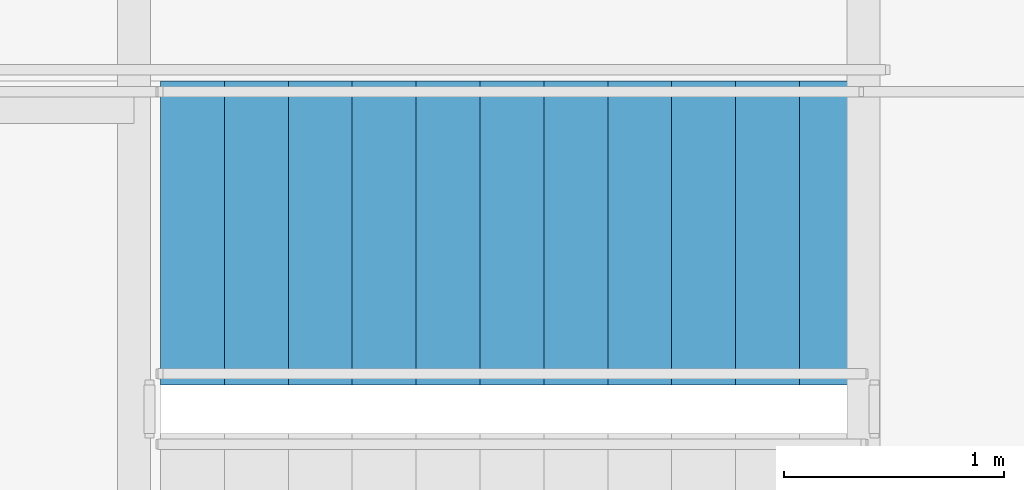
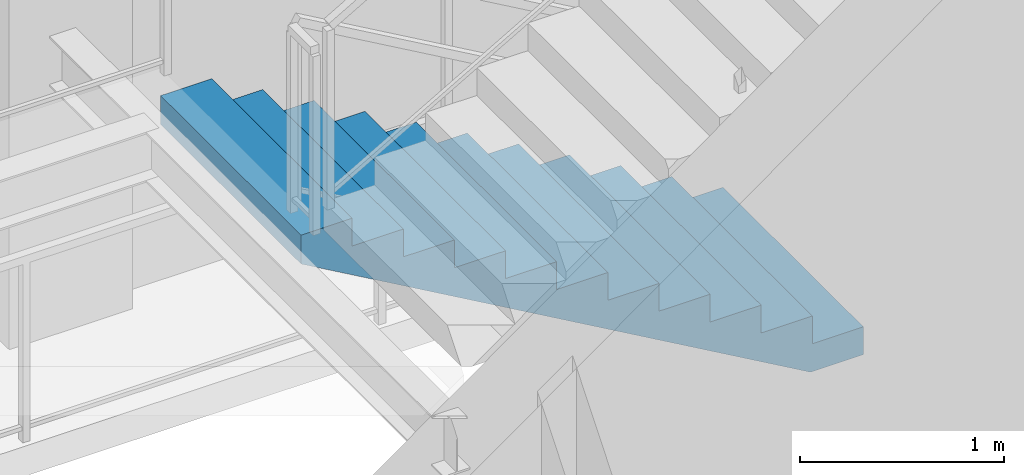
# One storey, part 31 of 34: 1 stair flight, 1 element without a shape of its own.
"""IFC4 building model written with IfcOpenShell, lengths in metres."""

from ifc_helpers import new_model, si_unit, direction, frame, origin, place, context, subcontext, project, spatial, polyline, outline, extrude, material, type_object, element, aggregate, save


model = new_model("IFC4")

# Units and contexts
model_context = context("Model", 3, precision=1e-05, world=origin(), true_north=direction((0.0, 1.0)))
body_context = subcontext(model_context, "Body", "Model", "MODEL_VIEW")
ifc_project = project(units=[si_unit("LENGTHUNIT", "METRE"), si_unit("AREAUNIT", "SQUARE_METRE"), si_unit("VOLUMEUNIT", "CUBIC_METRE"), si_unit("PLANEANGLEUNIT", "RADIAN"), si_unit("MASSUNIT", "GRAM", prefix="KILO")], contexts=[model_context])

# Site, building, storey
site_placement = place(None, origin())
site = spatial("IfcSite", under=ifc_project, at=site_placement, CompositionType="ELEMENT")
building_placement = place(site_placement, origin())
building = spatial("IfcBuilding", under=site, at=building_placement, Name="Khoronbel Lancet Exchange", CompositionType="ELEMENT")
storey_placement = place(building_placement, frame((0.0, 0.0, 102.60009765625)))
storey = spatial("IfcBuildingStorey", under=building, at=storey_placement, Name="L24", CompositionType="ELEMENT", Elevation=102.60009765625)

# Stair, stair flight
ifc_material = material(Name="Concrete C40/50", Category="concrete")
stair_type = type_object("IfcStairType", Name="STR-CORE150", PredefinedType="HALF_TURN_STAIR", material=ifc_material)
stair_placement = place(storey_placement, origin())
stair = element("IfcStair", 1, at=stair_placement, inside=storey, type_object=stair_type, Name="L24 Protected Exit Stair ST2", PredefinedType="HALF_TURN_STAIR")
stair_flight_type = type_object("IfcStairFlightType", Name="STF-150", PredefinedType="STRAIGHT", material=ifc_material)
stair_flight_placement = place(storey_placement, frame((54.60009765625, 51.409912109375, 0.0), z_axis=(0.0, 0.0, 1.0), x_axis=(-1.0, 0.0, 0.0)))
stair_flight = element("IfcStairFlight", 2, at=stair_flight_placement, type_object=stair_flight_type, Name="ST2 flight 1", NumberOfRisers=12, NumberOfTreads=11, PredefinedType="STRAIGHT", RiserHeight=0.166666667, TreadLength=0.29, context=body_context, shape_type="SweptSolid", body=[
    extrude(outline(polyline([(0.0, 0.0), (0.0, 0.166748046875), (0.2900390625, 0.166748046875), (0.2900390625, 0.333251953125), (0.580078125, 0.333251953125), (0.580078125, 0.5), (0.8701171875, 0.5), (0.8701171875, 0.666748046875), (1.159912109375, 0.666748046875), (1.159912109375, 0.833251953125), (1.449951171875, 0.833251953125), (1.449951171875, 1.0), (1.739990234375, 1.0), (1.739990234375, 1.166748046875), (2.030029296875, 1.166748046875), (2.030029296875, 1.333251953125), (2.320068359375, 1.333251953125), (2.320068359375, 1.5), (2.610107421875, 1.5), (2.610107421875, 1.666748046875), (2.89990234375, 1.666748046875), (2.89990234375, 1.833251953125), (3.18994140625, 1.833251953125), (3.18994140625, 2.0), (3.18994140625, 1.660400390625), (0.30078125, 0.0), (0.0, 0.0)])), frame((0.0, 0.68994140625, 0.0), z_axis=(0.0, -1.0, 0.0), x_axis=(1.0, 0.0, 0.0)), (0.0, 0.0, 1.0), 1.3798828125),
])
aggregate(stair, [stair_flight])

save(model, "model.ifc")
